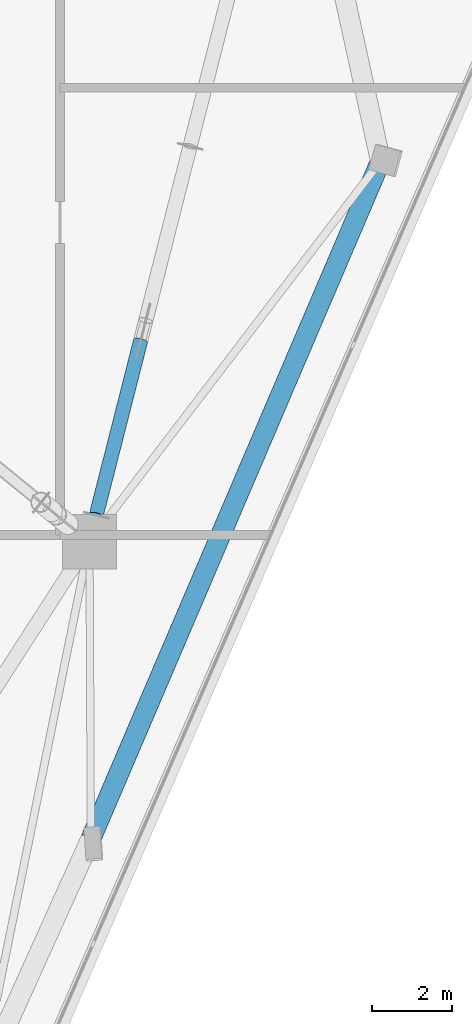
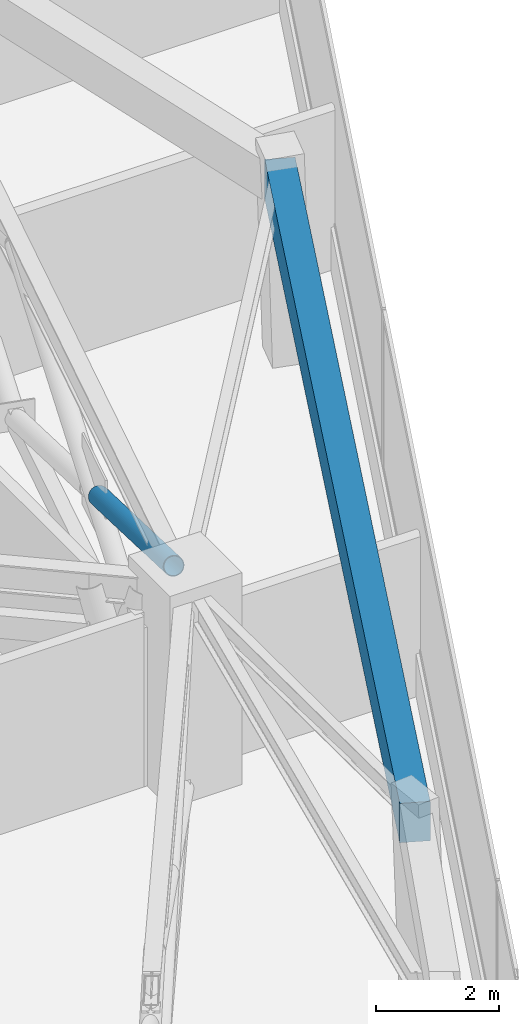
# One storey, part 4 of 12: 1 beam, 1 member.
"""IFC4 building model written with IfcOpenShell, lengths in metres."""

from ifc_helpers import new_model, si_unit, direction, frame, origin, origin_2d, place, context, subcontext, project, spatial, rectangle, hollow_circle, extrude, material, material_profile, profile_set, type_object, element, save


model = new_model("IFC4")

# Units and contexts
model_context = context("Model", 3, precision=1e-05, world=origin(), true_north=direction((0.0, 1.0)))
body_context = subcontext(model_context, "Body", "Model", "MODEL_VIEW")
ifc_project = project(units=[si_unit("LENGTHUNIT", "METRE"), si_unit("AREAUNIT", "SQUARE_METRE"), si_unit("VOLUMEUNIT", "CUBIC_METRE"), si_unit("PLANEANGLEUNIT", "RADIAN"), si_unit("MASSUNIT", "GRAM", prefix="KILO")], contexts=[model_context])

# Site, building, storey
site_placement = place(None, origin())
site = spatial("IfcSite", under=ifc_project, at=site_placement, CompositionType="ELEMENT")
building_placement = place(site_placement, origin())
building = spatial("IfcBuilding", under=site, at=building_placement, Name="Talyreon Biosciences Tower", CompositionType="ELEMENT")
storey_placement = place(building_placement, frame((0.0, 0.0, 227.39990234375)))
storey = spatial("IfcBuildingStorey", under=building, at=storey_placement, Name="L60", CompositionType="ELEMENT", Elevation=227.39990234375)

# Member
ifc_material_1 = material(Name="Steel SM355", Category="steel")
ifc_material_profile_1 = material_profile(ifc_material_1, hollow_circle(Radius=0.177734375, WallThickness=0.01416015625, at=origin_2d()), Name="CHS 355.6x14.2")
ifc_profile_set_1 = profile_set([ifc_material_profile_1], Name="Steel SM355")
member_type = type_object("IfcMemberType", Name="BeltBrace_CHS355", PredefinedType="BRACE", material=ifc_profile_set_1)
member_placement = place(storey_placement, frame((78.35986328125, 63.886962890625, 2.06591796875), z_axis=(-0.23161064965, -0.910472980326, 0.34263020746), x_axis=(0.969134341584, -0.246533218781, 0.0)))
element("IfcMember", 1, at=member_placement, inside=storey, type_object=member_type, Name="L60 Split Diagonal BELT-L60-B2S1B-Upper", PredefinedType="BRACE", context=body_context, shape_type="SweptSolid", body=[
    extrude(hollow_circle(Radius=0.177734375, WallThickness=0.01416015625, at=origin_2d()), origin(), (0.0, 0.0, 1.0), 4.769775390625),
])

# Beam
ifc_material_2 = material(Name="Precast concrete C45/55", Category="concrete")
ifc_material_profile_2 = material_profile(ifc_material_2, rectangle(XDim=0.5, YDim=0.780029296875, at=origin_2d()), Name="RCB 500x780")
ifc_profile_set_2 = profile_set([ifc_material_profile_2], Name="Precast concrete C45/55")
beam_type = type_object("IfcBeamType", Name="ExpressedSpandrel_500x780", PredefinedType="SPANDREL", material=ifc_profile_set_2)
beam_placement = place(storey_placement, frame((77.12060546875, 51.474609375, 3.56005859375), z_axis=(0.39302594366, 0.919527382741, 0.0), x_axis=(-0.919527382741, 0.39302594366, 0.0)))
element("IfcBeam", 2, at=beam_placement, inside=storey, type_object=beam_type, Name="L60 Expressed Horizontal Concrete Spandrel 03", PredefinedType="SPANDREL", context=body_context, shape_type="SweptSolid", body=[
    extrude(rectangle(XDim=0.5, YDim=0.780029296875, at=origin_2d()), origin(), (0.0, 0.0, 1.0), 18.375244140625),
])

save(model, "model.ifc")
